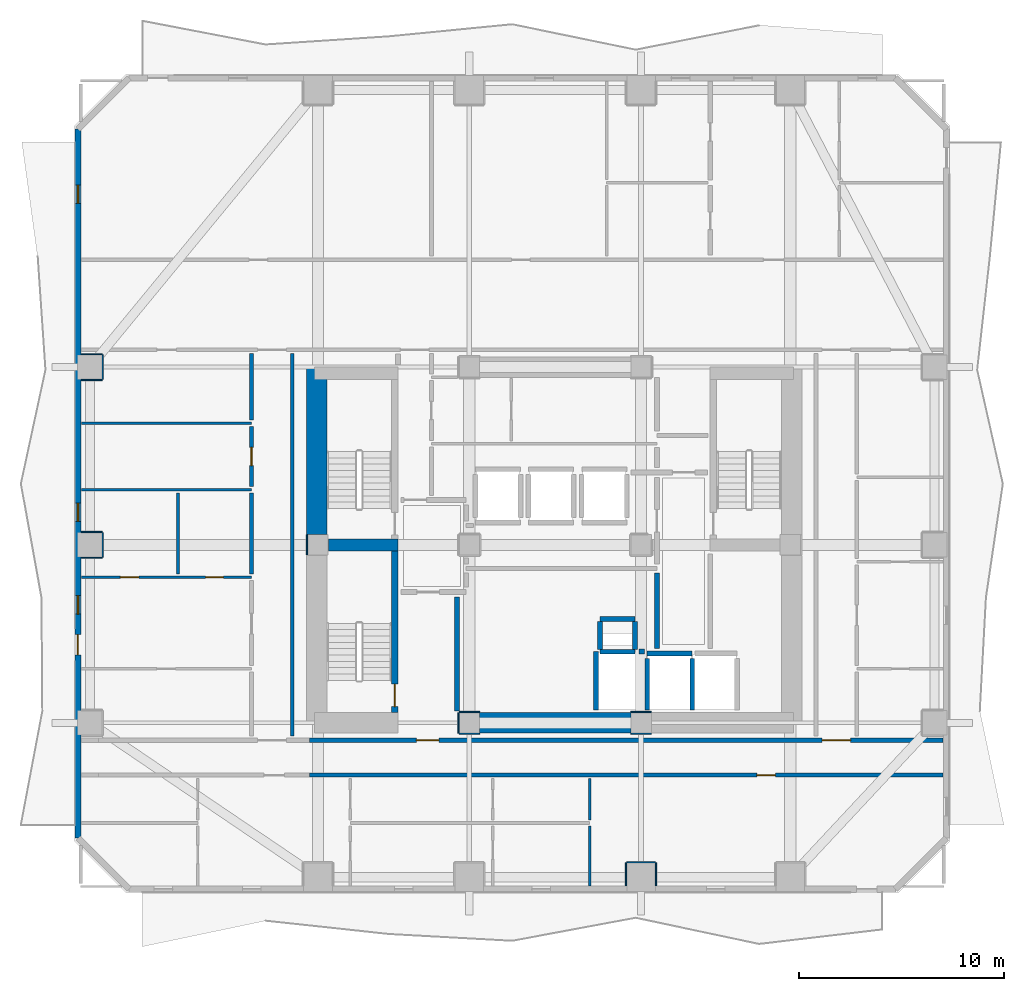
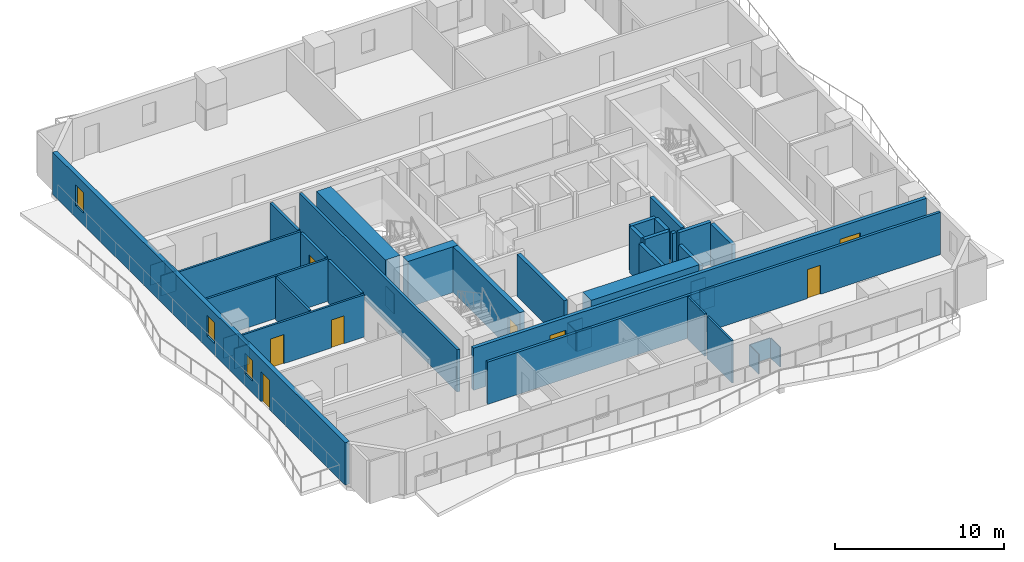
# One storey, part 3 of 10: 43 walls, 8 doors, 3 windows, 11 openings.
"""IFC4 building model written with IfcOpenShell, lengths in metres."""

from ifc_helpers import new_model, si_unit, direction, frame, frame_2d, origin, place, context, subcontext, project, spatial, rectangle, extrude, material, layer, layer_set, type_object, element, fill, save


model = new_model("IFC4")

# Units and contexts
model_context = context("Model", 3, precision=1e-05, world=origin(), true_north=direction((0.0, 1.0)))
body_context = subcontext(model_context, "Body", "Model", "MODEL_VIEW")
ifc_project = project(units=[si_unit("LENGTHUNIT", "METRE"), si_unit("AREAUNIT", "SQUARE_METRE"), si_unit("VOLUMEUNIT", "CUBIC_METRE"), si_unit("PLANEANGLEUNIT", "RADIAN"), si_unit("MASSUNIT", "GRAM", prefix="KILO")], contexts=[model_context])

# Site, building, storey
site_placement = place(None, origin())
site = spatial("IfcSite", under=ifc_project, at=site_placement, CompositionType="ELEMENT")
building_placement = place(site_placement, origin())
building = spatial("IfcBuilding", under=site, at=building_placement, Name="Solanera Arch Residences", CompositionType="ELEMENT")
storey_placement = place(building_placement, frame((0.0, 0.0, 99.43994140625)))
storey = spatial("IfcBuildingStorey", under=building, at=storey_placement, Name="L28", CompositionType="ELEMENT", Elevation=99.43994140625)

# Walls
ifc_material_1 = material(Name="Fire-Rated Gypsum Stud Partition", Category="gypsum")
ifc_layer_1 = layer(ifc_material_1, 0.06005859375)
ifc_layer_set_1 = layer_set([ifc_layer_1], Name="Fire-Rated Gypsum Stud Partition")
wall_type_1 = type_object("IfcWallType", Name="Column Acoustic Furring Wall 60", PredefinedType="PARTITIONING", material=ifc_layer_set_1)
for number, where, z_axis, x_axis, name in (
    (1, (20.300048828125, 21.468017578125, 0.0), (0.0, 0.0, 1.0), (1.0, 0.0, 0.0), "L28 Column Furring 1S"),
    (2, (20.300048828125, 22.531982421875, 0.0), (0.0, 0.0, 1.0), (1.0, 0.0, 0.0), "L28 Column Furring 1N"),
    (3, (20.26806640625, 21.5, 0.0), (0.0, 0.0, 1.0), (0.0, 1.0, 0.0), "L28 Column Furring 1W"),
    (4, (28.699951171875, 21.468017578125, 0.0), (0.0, 0.0, 1.0), (1.0, 0.0, 0.0), "L28 Column Furring 2S"),
    (5, (28.699951171875, 22.531982421875, 0.0), (0.0, 0.0, 1.0), (1.0, 0.0, 0.0), "L28 Column Furring 2N"),
):
    element("IfcWall", number, at=place(storey_placement, frame(where, z_axis=z_axis, x_axis=x_axis)), inside=storey, type_object=wall_type_1, Name=name, PredefinedType="PARTITIONING", context=body_context, shape_type="SweptSolid", body=[
        extrude(rectangle(XDim=1.0, YDim=0.06005859375, at=frame_2d((0.5, 0.0))), origin(), (0.0, 0.0, 1.0), 1.449951171875),
    ])
wall_1_placement = place(storey_placement, frame((12.867919921875, 30.2099609375, 0.0), z_axis=(0.0, 0.0, 1.0), x_axis=(0.0, 1.0, 0.0)))
element("IfcWall", 6, at=wall_1_placement, inside=storey, type_object=wall_type_1, Name="L28 Column Furring 5W", PredefinedType="PARTITIONING", context=body_context, shape_type="SweptSolid", body=[
    extrude(rectangle(XDim=0.97998046875, YDim=0.06005859375, at=frame_2d((0.489990234375, 0.0))), origin(), (0.0, 0.0, 1.0), 1.449951171875),
])
wall_2_placement = place(storey_placement, frame((28.5, 15.181884765625, 0.0), z_axis=(0.0, 0.0, 1.0), x_axis=(1.0, 0.0, 0.0)))
element("IfcWall", 7, at=wall_2_placement, inside=storey, type_object=wall_type_1, Name="L28 Column Furring 13N", PredefinedType="PARTITIONING", context=body_context, shape_type="SweptSolid", body=[
    extrude(rectangle(XDim=1.39990234375, YDim=0.06005859375, at=frame_2d((0.699951171875, 0.0))), origin(), (0.0, 0.0, 1.0), 1.449951171875),
])
for number, where, z_axis, x_axis, name in (
    (8, (28.468017578125, 14.030029296875, 0.0), (0.0, 0.0, 1.0), (0.0, 1.0, 0.0), "L28 Column Furring 13W"),
    (9, (29.931884765625, 14.030029296875, 0.0), (0.0, 0.0, 1.0), (0.0, 1.0, 0.0), "L28 Column Furring 13E"),
):
    element("IfcWall", number, at=place(storey_placement, frame(where, z_axis=z_axis, x_axis=x_axis)), inside=storey, type_object=wall_type_1, Name=name, PredefinedType="PARTITIONING", context=body_context, shape_type="SweptSolid", body=[
        extrude(rectangle(XDim=1.119873046875, YDim=0.06005859375, at=frame_2d((0.56005859375, 0.0))), origin(), (0.0, 0.0, 1.0), 1.449951171875),
    ])
for number, where, z_axis, x_axis, name in (
    (10, (1.830078125, 30.068115234375, 0.0), (0.0, 0.0, 1.0), (1.0, 0.0, 0.0), "L28 Column Furring 19S"),
    (11, (1.830078125, 31.33203125, 0.0), (0.0, 0.0, 1.0), (1.0, 0.0, 0.0), "L28 Column Furring 19N"),
):
    element("IfcWall", number, at=place(storey_placement, frame(where, z_axis=z_axis, x_axis=x_axis)), inside=storey, type_object=wall_type_1, Name=name, PredefinedType="PARTITIONING", context=body_context, shape_type="SweptSolid", body=[
        extrude(rectangle(XDim=1.02001953125, YDim=0.06005859375, at=frame_2d((0.510009765625, 0.0))), origin(), (0.0, 0.0, 1.0), 1.449951171875),
    ])
wall_3_placement = place(storey_placement, frame((2.882080078125, 30.10009765625, 0.0), z_axis=(0.0, 0.0, 1.0), x_axis=(0.0, 1.0, 0.0)))
element("IfcWall", 12, at=wall_3_placement, inside=storey, type_object=wall_type_1, Name="L28 Column Furring 19E", PredefinedType="PARTITIONING", context=body_context, shape_type="SweptSolid", body=[
    extrude(rectangle(XDim=1.199951171875, YDim=0.06005859375, at=frame_2d((0.60009765625, 0.0))), origin(), (0.0, 0.0, 1.0), 1.449951171875),
])
for number, where, z_axis, x_axis, name in (
    (13, (1.830078125, 38.76806640625, 0.0), (0.0, 0.0, 1.0), (1.0, 0.0, 0.0), "L28 Column Furring 21S"),
    (14, (1.830078125, 40.031982421875, 0.0), (0.0, 0.0, 1.0), (1.0, 0.0, 0.0), "L28 Column Furring 21N"),
):
    element("IfcWall", number, at=place(storey_placement, frame(where, z_axis=z_axis, x_axis=x_axis)), inside=storey, type_object=wall_type_1, Name=name, PredefinedType="PARTITIONING", context=body_context, shape_type="SweptSolid", body=[
        extrude(rectangle(XDim=1.02001953125, YDim=0.06005859375, at=frame_2d((0.510009765625, 0.0))), origin(), (0.0, 0.0, 1.0), 1.449951171875),
    ])
wall_4_placement = place(storey_placement, frame((2.882080078125, 38.800048828125, 0.0), z_axis=(0.0, 0.0, 1.0), x_axis=(0.0, 1.0, 0.0)))
element("IfcWall", 15, at=wall_4_placement, inside=storey, type_object=wall_type_1, Name="L28 Column Furring 21E", PredefinedType="PARTITIONING", context=body_context, shape_type="SweptSolid", body=[
    extrude(rectangle(XDim=1.199951171875, YDim=0.06005859375, at=frame_2d((0.60009765625, 0.0))), origin(), (0.0, 0.0, 1.0), 1.449951171875),
])
ifc_material_2 = material(Name="Concrete C55/67 (f'c = 60 MPa)", Category="concrete")
ifc_layer_2 = layer(ifc_material_2, 1.0)
ifc_layer_set_2 = layer_set([ifc_layer_2], Name="Concrete C55/67 (f'c = 60 MPa)")
wall_type_2 = type_object("IfcWallType", Name="Core Shear Wall CW-1000", PredefinedType="SHEAR", material=ifc_layer_set_2)
wall_5_placement = place(storey_placement, frame((13.340087890625, 31.205078125, 0.0), z_axis=(0.0, 0.0, 1.0), x_axis=(0.0, 1.0, 0.0)))
element("IfcWall", 16, at=wall_5_placement, inside=storey, type_object=wall_type_2, Name="L28 West Core North Shear Wall", PredefinedType="SHEAR", context=body_context, shape_type="SweptSolid", body=[
    extrude(rectangle(XDim=8.19482421875, YDim=1.0, at=frame_2d((4.097412109375, 0.0))), origin(), (0.0, 0.0, 1.0), 3.320068359375),
])
wall_6_placement = place(storey_placement, frame((21.304931640625, 22.0, 0.0), z_axis=(0.0, 0.0, 1.0), x_axis=(1.0, 0.0, 0.0)))
element("IfcWall", 17, at=wall_6_placement, inside=storey, type_object=wall_type_2, Name="L28 Central South Core Shear Wall", PredefinedType="SHEAR", context=body_context, shape_type="SweptSolid", body=[
    extrude(rectangle(XDim=7.39013671875, YDim=1.0, at=frame_2d((3.695068359375, 0.0))), origin(), (0.0, 0.0, 1.0), 3.320068359375),
])

# Wall, opening, door
ifc_material_3 = material(Name="Concrete C40/50 (f'c = 45 MPa)", Category="concrete")
ifc_layer_3 = layer(ifc_material_3, 0.320068359375)
ifc_layer_set_3 = layer_set([ifc_layer_3], Name="Concrete C40/50 (f'c = 45 MPa)")
wall_type_3 = type_object("IfcWallType", Name="Core Shear Wall CW-320", PredefinedType="SHEAR", material=ifc_layer_set_3)
wall_7_placement = place(storey_placement, frame((17.159912109375, 22.5, 0.0), z_axis=(0.0, 0.0, 1.0), x_axis=(0.0, 1.0, 0.0)))
wall_7 = element("IfcWall", 18, at=wall_7_placement, inside=storey, type_object=wall_type_3, Name="L28 Stair ST-T3 East Shear Wall", PredefinedType="SHEAR", context=body_context, shape_type="SweptSolid", body=[
    extrude(rectangle(XDim=7.89990234375, YDim=0.320068359375, at=frame_2d((3.949951171875, 0.0))), origin(), (0.0, 0.0, 1.0), 3.320068359375),
])
opening_1_placement = place(wall_7_placement, frame((0.2900390625, 0.0, 0.0)))
opening_1 = element("IfcOpeningElement", 19, at=opening_1_placement, cuts=wall_7, Name="Opening DF-01", PredefinedType="OPENING", context=body_context, shape_type="SweptSolid", body=[
    extrude(rectangle(XDim=1.10009765625, YDim=2.14990234375, at=frame_2d((0.550048828125, 1.074951171875))), frame((0.0, 0.169921875, 0.0), z_axis=(0.0, -1.0, 0.0), x_axis=(1.0, 0.0, 0.0)), (0.0, 0.0, 1.0), 0.3401),
])
ifc_material_4 = material(Name="Fire-Rated Architectural Hardwood", Category="wood")
door_type_1 = type_object("IfcDoorType", Name="Stair Exit Fire Door DF-01", OperationType="NOTDEFINED", PredefinedType="DOOR", material=ifc_material_4)
door_1_placement = place(opening_1_placement, origin())
door_1 = element("IfcDoor", 20, at=door_1_placement, inside=storey, type_object=door_type_1, Name="DR-L28-STAIR-ST-T3", OperationType="SINGLE_SWING_RIGHT", OverallHeight=2.14990234375, OverallWidth=1.10009765625, PredefinedType="DOOR", context=body_context, shape_type="SweptSolid", body=[
    extrude(rectangle(XDim=1.10009765625, YDim=2.14990234375, at=frame_2d((0.550048828125, 1.074951171875))), frame((0.0, 0.02490234375, 0.0), z_axis=(0.0, -1.0, 0.0), x_axis=(1.0, 0.0, 0.0)), (0.0, 0.0, 1.0), 0.050048828125),
])
fill(opening_1, door_1)

# Wall
ifc_material_5 = material(Name="Concrete C40/50 (f'c = 45 MPa)", Category="concrete")
ifc_layer_4 = layer(ifc_material_5, 0.60009765625)
ifc_layer_set_4 = layer_set([ifc_layer_4], Name="Concrete C40/50 (f'c = 45 MPa)")
wall_type_4 = type_object("IfcWallType", Name="Core Shear Wall CW-600", PredefinedType="SHEAR", material=ifc_layer_set_4)
wall_8_placement = place(storey_placement, frame((13.905029296875, 30.699951171875, 0.0), z_axis=(0.0, 0.0, 1.0), x_axis=(1.0, 0.0, 0.0)))
element("IfcWall", 21, at=wall_8_placement, inside=storey, type_object=wall_type_4, Name="L28 West Stair Divider Shear Wall", PredefinedType="SHEAR", context=body_context, shape_type="SweptSolid", body=[
    extrude(rectangle(XDim=3.4150390625, YDim=0.60009765625, at=frame_2d((1.70751953125, 0.0))), origin(), (0.0, 0.0, 1.0), 3.320068359375),
])

# Wall, opening, door
ifc_material_6 = material(Name="Autoclaved Aerated Concrete Blockwork", Category="masonry")
ifc_layer_5 = layer(ifc_material_6, 0.179931640625)
ifc_layer_set_5 = layer_set([ifc_layer_5], Name="Autoclaved Aerated Concrete Blockwork")
wall_type_5 = type_object("IfcWallType", Name="Corridor Fire Partition 180", PredefinedType="PARTITIONING", material=ifc_layer_set_5)
wall_9_placement = place(storey_placement, frame((12.992919921875, 19.449951171875, 0.0), z_axis=(0.0, 0.0, 1.0), x_axis=(1.0, 0.0, 0.0)))
wall_9 = element("IfcWall", 22, at=wall_9_placement, inside=storey, type_object=wall_type_5, Name="L28 Interior Partition H6 3", PredefinedType="PARTITIONING", context=body_context, shape_type="SweptSolid", body=[
    extrude(rectangle(XDim=30.97998046875, YDim=0.179931640625, at=frame_2d((15.489990234375, 0.0))), origin(), (0.0, 0.0, 1.0), 3.06005859375),
])
opening_2_placement = place(wall_9_placement, frame((21.8720703125, 0.0, 0.0)))
opening_2 = element("IfcOpeningElement", 23, at=opening_2_placement, cuts=wall_9, Name="Opening DI-02", PredefinedType="OPENING", context=body_context, shape_type="SweptSolid", body=[
    extrude(rectangle(XDim=0.89990234375, YDim=2.10009765625, at=frame_2d((0.449951171875, 1.050048828125))), frame((0.0, 0.10009765625, 0.0), z_axis=(0.0, -1.0, 0.0), x_axis=(1.0, 0.0, 0.0)), (0.0, 0.0, 1.0), 0.1999),
])
ifc_material_7 = material(Name="Fire-Rated Architectural Hardwood", Category="wood")
door_type_2 = type_object("IfcDoorType", Name="Suite Room Swing Door DI-02", OperationType="NOTDEFINED", PredefinedType="DOOR", material=ifc_material_7)
door_2_placement = place(opening_2_placement, origin())
door_2 = element("IfcDoor", 24, at=door_2_placement, inside=storey, type_object=door_type_2, Name="DR-L28-IN-023", OperationType="SINGLE_SWING_RIGHT", OverallHeight=2.10009765625, OverallWidth=0.89990234375, PredefinedType="DOOR", context=body_context, shape_type="SweptSolid", body=[
    extrude(rectangle(XDim=0.89990234375, YDim=2.10009765625, at=frame_2d((0.449951171875, 1.050048828125))), frame((0.0, 0.02490234375, 0.0), z_axis=(0.0, -1.0, 0.0), x_axis=(1.0, 0.0, 0.0)), (0.0, 0.0, 1.0), 0.050048828125),
])
fill(opening_2, door_2)

# Wall
wall_10_placement = place(storey_placement, frame((10.14990234375, 29.2880859375, 0.0), z_axis=(0.0, 0.0, 1.0), x_axis=(0.0, 1.0, 0.0)))
element("IfcWall", 25, at=wall_10_placement, inside=storey, type_object=wall_type_5, Name="L28 Interior Partition V8 3", PredefinedType="PARTITIONING", context=body_context, shape_type="SweptSolid", body=[
    extrude(rectangle(XDim=3.94384765625, YDim=0.179931640625, at=frame_2d((1.971923828125, 0.0))), origin(), (0.0, 0.0, 1.0), 3.06005859375),
])

# Wall, opening, door
wall_11_placement = place(storey_placement, frame((10.14990234375, 33.568115234375, 0.0), z_axis=(0.0, 0.0, 1.0), x_axis=(0.0, 1.0, 0.0)))
wall_11 = element("IfcWall", 26, at=wall_11_placement, inside=storey, type_object=wall_type_5, Name="L28 Interior Partition V8 4", PredefinedType="PARTITIONING", context=body_context, shape_type="SweptSolid", body=[
    extrude(rectangle(XDim=2.913818359375, YDim=0.179931640625, at=frame_2d((1.45703125, 0.0))), origin(), (0.0, 0.0, 1.0), 3.06005859375),
])
opening_3_placement = place(wall_11_placement, frame((1.007080078125, 0.0, 0.0)))
opening_3 = element("IfcOpeningElement", 27, at=opening_3_placement, cuts=wall_11, Name="Opening DI-02", PredefinedType="OPENING", context=body_context, shape_type="SweptSolid", body=[
    extrude(rectangle(XDim=0.89990234375, YDim=2.10009765625, at=frame_2d((0.449951171875, 1.050048828125))), frame((0.0, 0.10009765625, 0.0), z_axis=(0.0, -1.0, 0.0), x_axis=(1.0, 0.0, 0.0)), (0.0, 0.0, 1.0), 0.1999),
])
door_3_placement = place(opening_3_placement, origin())
door_3 = element("IfcDoor", 28, at=door_3_placement, inside=storey, type_object=door_type_2, Name="DR-L28-IN-035", OperationType="SINGLE_SWING_RIGHT", OverallHeight=2.10009765625, OverallWidth=0.89990234375, PredefinedType="DOOR", context=body_context, shape_type="SweptSolid", body=[
    extrude(rectangle(XDim=0.89990234375, YDim=2.10009765625, at=frame_2d((0.449951171875, 1.050048828125))), frame((0.0, 0.02490234375, 0.0), z_axis=(0.0, -1.0, 0.0), x_axis=(1.0, 0.0, 0.0)), (0.0, 0.0, 1.0), 0.050048828125),
])
fill(opening_3, door_3)

# Walls
wall_12_placement = place(storey_placement, frame((10.14990234375, 36.818115234375, 0.0), z_axis=(0.0, 0.0, 1.0), x_axis=(0.0, 1.0, 0.0)))
element("IfcWall", 29, at=wall_12_placement, inside=storey, type_object=wall_type_5, Name="L28 Interior Partition V8 5", PredefinedType="PARTITIONING", context=body_context, shape_type="SweptSolid", body=[
    extrude(rectangle(XDim=3.243896484375, YDim=0.179931640625, at=frame_2d((1.6220703125, 0.0))), origin(), (0.0, 0.0, 1.0), 3.06005859375),
])
wall_13_placement = place(storey_placement, frame((12.14990234375, 21.367919921875, 0.0), z_axis=(0.0, 0.0, 1.0), x_axis=(0.0, 1.0, 0.0)))
element("IfcWall", 30, at=wall_13_placement, inside=storey, type_object=wall_type_5, Name="L28 Interior Partition V9", PredefinedType="PARTITIONING", context=body_context, shape_type="SweptSolid", body=[
    extrude(rectangle(XDim=18.694091796875, YDim=0.179931640625, at=frame_2d((9.34716796875, 0.0))), origin(), (0.0, 0.0, 1.0), 3.06005859375),
])

# Wall, openings, door, windows
ifc_material_8 = material(Name="Precast Concrete C35/45", Category="concrete")
ifc_layer_6 = layer(ifc_material_8, 0.300048828125)
ifc_layer_set_6 = layer_set([ifc_layer_6], Name="Precast Concrete C35/45")
wall_type_6 = type_object("IfcWallType", Name="Exterior Wall Precast Masonry-Frame 300", PredefinedType="STANDARD", material=ifc_layer_set_6)
wall_14_placement = place(storey_placement, frame((1.6650390625, 16.364990234375, 0.0), z_axis=(0.0, 0.0, 1.0), x_axis=(0.0, 1.0, 0.0)))
wall_14 = element("IfcWall", 31, at=wall_14_placement, inside=storey, type_object=wall_type_6, Name="L28 Tower Exterior Precast Masonry-Frame Wall W", PredefinedType="STANDARD", context=body_context, shape_type="SweptSolid", body=[
    extrude(rectangle(XDim=34.669921875, YDim=0.300048828125, at=frame_2d((17.3349609375, 0.0))), origin(), (0.0, 0.0, 1.0), 3.06005859375),
])
opening_4_placement = place(wall_14_placement, frame((8.955078125, 0.0, 0.0)))
opening_4 = element("IfcOpeningElement", 32, at=opening_4_placement, cuts=wall_14, Name="Opening DB-01", PredefinedType="OPENING", context=body_context, shape_type="SweptSolid", body=[
    extrude(rectangle(XDim=1.0, YDim=2.14990234375, at=frame_2d((0.5, 1.074951171875))), frame((0.0, 0.159912109375, 0.0), z_axis=(0.0, -1.0, 0.0), x_axis=(1.0, 0.0, 0.0)), (0.0, 0.0, 1.0), 0.32),
])
opening_5_placement = place(wall_14_placement, frame((31.032958984375, 0.0, 0.85009765625)))
opening_5 = element("IfcOpeningElement", 33, at=opening_5_placement, cuts=wall_14, Name="Opening W-06", PredefinedType="OPENING", context=body_context, shape_type="SweptSolid", body=[
    extrude(rectangle(XDim=0.89990234375, YDim=1.5, at=frame_2d((0.449951171875, 0.75))), frame((0.0, 0.159912109375, 0.0), z_axis=(0.0, -1.0, 0.0), x_axis=(1.0, 0.0, 0.0)), (0.0, 0.0, 1.0), 0.32),
])
opening_6_placement = place(wall_14_placement, frame((10.955078125, 0.0, 0.85009765625)))
opening_6 = element("IfcOpeningElement", 34, at=opening_6_placement, cuts=wall_14, Name="Opening W-06", PredefinedType="OPENING", context=body_context, shape_type="SweptSolid", body=[
    extrude(rectangle(XDim=0.89990234375, YDim=1.5, at=frame_2d((0.449951171875, 0.75))), frame((0.0, 0.159912109375, 0.0), z_axis=(0.0, -1.0, 0.0), x_axis=(1.0, 0.0, 0.0)), (0.0, 0.0, 1.0), 0.32),
])
opening_7_placement = place(wall_14_placement, frame((15.485107421875, 0.0, 0.85009765625)))
opening_7 = element("IfcOpeningElement", 35, at=opening_7_placement, cuts=wall_14, Name="Opening W-06", PredefinedType="OPENING", context=body_context, shape_type="SweptSolid", body=[
    extrude(rectangle(XDim=0.89990234375, YDim=1.5, at=frame_2d((0.449951171875, 0.75))), frame((0.0, 0.159912109375, 0.0), z_axis=(0.0, -1.0, 0.0), x_axis=(1.0, 0.0, 0.0)), (0.0, 0.0, 1.0), 0.32),
])
ifc_material_9 = material(Name="Anodised Aluminium Alloy 6063-T6", Category="aluminium")
door_type_3 = type_object("IfcDoorType", Name="Glazed Balcony Swing Door DB-01", OperationType="NOTDEFINED", PredefinedType="DOOR", material=ifc_material_9)
door_4_placement = place(opening_4_placement, origin())
door_4 = element("IfcDoor", 36, at=door_4_placement, inside=storey, type_object=door_type_3, Name="DR-L28-OUT-04", OperationType="SINGLE_SWING_LEFT", OverallHeight=2.14990234375, OverallWidth=1.0, PredefinedType="DOOR", context=body_context, shape_type="SweptSolid", body=[
    extrude(rectangle(XDim=1.0, YDim=2.14990234375, at=frame_2d((0.5, 1.074951171875))), frame((0.0, 0.02490234375, 0.0), z_axis=(0.0, -1.0, 0.0), x_axis=(1.0, 0.0, 0.0)), (0.0, 0.0, 1.0), 0.050048828125),
])
fill(opening_4, door_4)
ifc_material_10 = material(Name="Double Glazed Low-E Laminated Glass", Category="glass")
window_type = type_object("IfcWindowType", Name="Punched Window W-06", PartitioningType="SINGLE_PANEL", PredefinedType="WINDOW", material=ifc_material_10)
window_1_placement = place(opening_5_placement, origin())
window_1 = element("IfcWindow", 37, at=window_1_placement, inside=storey, type_object=window_type, Name="L28 AMN-MTG1 Punched Window", OverallHeight=1.5, OverallWidth=0.89990234375, PartitioningType="SINGLE_PANEL", PredefinedType="WINDOW", context=body_context, shape_type="SweptSolid", body=[
    extrude(rectangle(XDim=0.89990234375, YDim=1.5, at=frame_2d((0.449951171875, 0.75))), frame((0.0, 0.030029296875, 0.0), z_axis=(0.0, -1.0, 0.0), x_axis=(1.0, 0.0, 0.0)), (0.0, 0.0, 1.0), 0.06005859375),
])
fill(opening_5, window_1)
window_2_placement = place(opening_6_placement, origin())
window_2 = element("IfcWindow", 38, at=window_2_placement, inside=storey, type_object=window_type, Name="L28 2803-LIV Punched Window", OverallHeight=1.5, OverallWidth=0.89990234375, PartitioningType="SINGLE_PANEL", PredefinedType="WINDOW", context=body_context, shape_type="SweptSolid", body=[
    extrude(rectangle(XDim=0.89990234375, YDim=1.5, at=frame_2d((0.449951171875, 0.75))), frame((0.0, 0.030029296875, 0.0), z_axis=(0.0, -1.0, 0.0), x_axis=(1.0, 0.0, 0.0)), (0.0, 0.0, 1.0), 0.06005859375),
])
fill(opening_6, window_2)
window_3_placement = place(opening_7_placement, origin())
window_3 = element("IfcWindow", 39, at=window_3_placement, inside=storey, type_object=window_type, Name="L28 2803-BR1 Punched Window", OverallHeight=1.5, OverallWidth=0.89990234375, PartitioningType="SINGLE_PANEL", PredefinedType="WINDOW", context=body_context, shape_type="SweptSolid", body=[
    extrude(rectangle(XDim=0.89990234375, YDim=1.5, at=frame_2d((0.449951171875, 0.75))), frame((0.0, 0.030029296875, 0.0), z_axis=(0.0, -1.0, 0.0), x_axis=(1.0, 0.0, 0.0)), (0.0, 0.0, 1.0), 0.06005859375),
])
fill(opening_7, window_3)

# Walls
ifc_material_11 = material(Name="Concrete C40/50 (f'c = 45 MPa)", Category="concrete")
ifc_layer_7 = layer(ifc_material_11, 0.239990234375)
ifc_layer_set_7 = layer_set([ifc_layer_7], Name="Concrete C40/50 (f'c = 45 MPa)")
wall_type_7 = type_object("IfcWallType", Name="Ramp Bearing Shear Wall RW-240", PredefinedType="SHEAR", material=ifc_layer_set_7)
for number, where, z_axis, x_axis, name in (
    (40, (27.199951171875, 25.47998046875, 0.0), (0.0, 0.0, 1.0), (1.0, 0.0, 0.0), "L28 Core MEP Riser South Shaft Wall"),
    (41, (27.199951171875, 27.080078125, 0.0), (0.0, 0.0, 1.0), (1.0, 0.0, 0.0), "L28 Core MEP Riser North Shaft Wall"),
):
    element("IfcWall", number, at=place(storey_placement, frame(where, z_axis=z_axis, x_axis=x_axis)), inside=storey, type_object=wall_type_7, Name=name, PredefinedType="SHEAR", context=body_context, shape_type="SweptSolid", body=[
        extrude(rectangle(XDim=1.699951171875, YDim=0.239990234375, at=frame_2d((0.85009765625, 0.0))), origin(), (0.0, 0.0, 1.0), 3.320068359375),
    ])
for number, where, z_axis, x_axis, name in (
    (42, (27.199951171875, 25.60009765625, 0.0), (0.0, 0.0, 1.0), (0.0, 1.0, 0.0), "L28 Core MEP Riser West Shaft Wall"),
    (43, (28.89990234375, 25.60009765625, 0.0), (0.0, 0.0, 1.0), (0.0, 1.0, 0.0), "L28 Core MEP Riser East Shaft Wall"),
):
    element("IfcWall", number, at=place(storey_placement, frame(where, z_axis=z_axis, x_axis=x_axis)), inside=storey, type_object=wall_type_7, Name=name, PredefinedType="SHEAR", context=body_context, shape_type="SweptSolid", body=[
        extrude(rectangle(XDim=1.35986328125, YDim=0.239990234375, at=frame_2d((0.679931640625, 0.0))), origin(), (0.0, 0.0, 1.0), 3.320068359375),
    ])
ifc_material_12 = material(Name="Autoclaved Aerated Concrete Blockwork", Category="masonry")
ifc_layer_8 = layer(ifc_material_12, 0.239990234375)
ifc_layer_set_8 = layer_set([ifc_layer_8], Name="Autoclaved Aerated Concrete Blockwork")
wall_type_8 = type_object("IfcWallType", Name="Shaft Wall Fire-Rated 240", PredefinedType="PARTITIONING", material=ifc_layer_set_8)
wall_15_placement = place(storey_placement, frame((29.5, 25.39990234375, 0.0), z_axis=(0.0, 0.0, 1.0), x_axis=(1.0, 0.0, 0.0)))
element("IfcWall", 44, at=wall_15_placement, inside=storey, type_object=wall_type_8, Name="L28 Lift FFL-1 Hoistway Wall N", PredefinedType="PARTITIONING", context=body_context, shape_type="SweptSolid", body=[
    extrude(rectangle(XDim=2.199951171875, YDim=0.239990234375, at=frame_2d((1.10009765625, 0.0))), origin(), (0.0, 0.0, 1.0), 3.06005859375),
])
wall_16_placement = place(storey_placement, frame((29.5, 22.632080078125, 0.0), z_axis=(0.0, 0.0, 1.0), x_axis=(0.0, 1.0, 0.0)))
element("IfcWall", 45, at=wall_16_placement, inside=storey, type_object=wall_type_8, Name="L28 Lift FFL-1 Hoistway Wall W", PredefinedType="PARTITIONING", context=body_context, shape_type="SweptSolid", body=[
    extrude(rectangle(XDim=2.52001953125, YDim=0.239990234375, at=frame_2d((1.260009765625, 0.0))), origin(), (0.0, 0.0, 1.0), 2.295166015625),
])
wall_17_placement = place(storey_placement, frame((31.699951171875, 22.6298828125, 0.0), z_axis=(0.0, 0.0, 1.0), x_axis=(0.0, 1.0, 0.0)))
element("IfcWall", 46, at=wall_17_placement, inside=storey, type_object=wall_type_8, Name="L28 Lift FFL-1 Hoistway Wall E", PredefinedType="PARTITIONING", context=body_context, shape_type="SweptSolid", body=[
    extrude(rectangle(XDim=2.522216796875, YDim=0.239990234375, at=frame_2d((1.26123046875, 0.0))), origin(), (0.0, 0.0, 1.0), 3.06005859375),
])
wall_18_placement = place(storey_placement, frame((29.10302734375, 25.5, 0.0), z_axis=(0.0, 0.0, 1.0), x_axis=(1.0, 0.0, 0.0)))
element("IfcWall", 47, at=wall_18_placement, inside=storey, type_object=wall_type_8, Name="L28 Lift SVL-1 Hoistway Wall N", PredefinedType="PARTITIONING", context=body_context, shape_type="SweptSolid", body=[
    extrude(rectangle(XDim=0.26904296875, YDim=0.239990234375, at=frame_2d((0.134521484375, 0.0))), origin(), (0.0, 0.0, 1.0), 3.06005859375),
])
wall_19_placement = place(storey_placement, frame((27.0, 22.6298828125, 0.0), z_axis=(0.0, 0.0, 1.0), x_axis=(0.0, 1.0, 0.0)))
element("IfcWall", 48, at=wall_19_placement, inside=storey, type_object=wall_type_8, Name="L28 Lift SVL-1 Hoistway Wall W", PredefinedType="PARTITIONING", context=body_context, shape_type="SweptSolid", body=[
    extrude(rectangle(XDim=2.8681640625, YDim=0.239990234375, at=frame_2d((1.43408203125, 0.0))), origin(), (0.0, 0.0, 1.0), 3.06005859375),
])

# Wall, openings, doors
wall_20_placement = place(storey_placement, frame((12.992919921875, 21.14990234375, 0.0), z_axis=(0.0, 0.0, 1.0), x_axis=(1.0, 0.0, 0.0)))
wall_20 = element("IfcWall", 49, at=wall_20_placement, inside=storey, type_object=wall_type_8, Name="L28 Interior Partition H1 3", PredefinedType="PARTITIONING", context=body_context, shape_type="SweptSolid", body=[
    extrude(rectangle(XDim=30.97998046875, YDim=0.239990234375, at=frame_2d((15.489990234375, 0.0))), origin(), (0.0, 0.0, 1.0), 3.06005859375),
])
opening_8_placement = place(wall_20_placement, frame((5.217041015625, 0.0, 0.0)))
opening_8 = element("IfcOpeningElement", 50, at=opening_8_placement, cuts=wall_20, Name="Opening DF-02", PredefinedType="OPENING", context=body_context, shape_type="SweptSolid", body=[
    extrude(rectangle(XDim=1.10009765625, YDim=2.14990234375, at=frame_2d((0.550048828125, 1.074951171875))), frame((0.0, 0.1298828125, 0.0), z_axis=(0.0, -1.0, 0.0), x_axis=(1.0, 0.0, 0.0)), (0.0, 0.0, 1.0), 0.26),
])
opening_9_placement = place(wall_20_placement, frame((25.056884765625, 0.0, 0.0)))
opening_9 = element("IfcOpeningElement", 51, at=opening_9_placement, cuts=wall_20, Name="Opening DF-03", PredefinedType="OPENING", context=body_context, shape_type="SweptSolid", body=[
    extrude(rectangle(XDim=1.39990234375, YDim=2.14990234375, at=frame_2d((0.699951171875, 1.074951171875))), frame((0.0, 0.1298828125, 0.0), z_axis=(0.0, -1.0, 0.0), x_axis=(1.0, 0.0, 0.0)), (0.0, 0.0, 1.0), 0.26),
])
ifc_material_13 = material(Name="Fire-Rated Architectural Hardwood", Category="wood")
door_type_4 = type_object("IfcDoorType", Name="Corridor Smoke Door DF-03", OperationType="NOTDEFINED", PredefinedType="DOOR", material=ifc_material_13)
door_5_placement = place(opening_9_placement, origin())
door_5 = element("IfcDoor", 52, at=door_5_placement, inside=storey, type_object=door_type_4, Name="DR-L28-IN-011", OperationType="SINGLE_SWING_RIGHT", OverallHeight=2.14990234375, OverallWidth=1.39990234375, PredefinedType="DOOR", context=body_context, shape_type="SweptSolid", body=[
    extrude(rectangle(XDim=1.39990234375, YDim=2.14990234375, at=frame_2d((0.699951171875, 1.074951171875))), frame((0.0, 0.02490234375, 0.0), z_axis=(0.0, -1.0, 0.0), x_axis=(1.0, 0.0, 0.0)), (0.0, 0.0, 1.0), 0.050048828125),
])
fill(opening_9, door_5)
ifc_material_14 = material(Name="Fire-Rated Architectural Hardwood", Category="wood")
door_type_5 = type_object("IfcDoorType", Name="Firefighting Lobby Fire Door DF-02", OperationType="NOTDEFINED", PredefinedType="DOOR", material=ifc_material_14)
door_6_placement = place(opening_8_placement, origin())
door_6 = element("IfcDoor", 53, at=door_6_placement, inside=storey, type_object=door_type_5, Name="DR-L28-IN-008", OperationType="SINGLE_SWING_LEFT", OverallHeight=2.14990234375, OverallWidth=1.10009765625, PredefinedType="DOOR", context=body_context, shape_type="SweptSolid", body=[
    extrude(rectangle(XDim=1.10009765625, YDim=2.14990234375, at=frame_2d((0.550048828125, 1.074951171875))), frame((0.0, 0.02490234375, 0.0), z_axis=(0.0, -1.0, 0.0), x_axis=(1.0, 0.0, 0.0)), (0.0, 0.0, 1.0), 0.050048828125),
])
fill(opening_8, door_6)

# Walls
wall_21_placement = place(storey_placement, frame((20.199951171875, 22.5859375, 0.0), z_axis=(0.0, 0.0, 1.0), x_axis=(0.0, 1.0, 0.0)))
element("IfcWall", 54, at=wall_21_placement, inside=storey, type_object=wall_type_8, Name="L28 Interior Partition V2", PredefinedType="PARTITIONING", context=body_context, shape_type="SweptSolid", body=[
    extrude(rectangle(XDim=5.566162109375, YDim=0.239990234375, at=frame_2d((2.783203125, 0.0))), origin(), (0.0, 0.0, 1.0), 3.06005859375),
])
wall_22_placement = place(storey_placement, frame((29.97509765625, 25.64794921875, 0.0), z_axis=(0.0, 0.0, 1.0), x_axis=(0.0, 1.0, 0.0)))
element("IfcWall", 55, at=wall_22_placement, inside=storey, type_object=wall_type_8, Name="L28 Interior Partition V4 1", PredefinedType="PARTITIONING", context=body_context, shape_type="SweptSolid", body=[
    extrude(rectangle(XDim=3.68408203125, YDim=0.239990234375, at=frame_2d((1.842041015625, 0.0))), origin(), (0.0, 0.0, 1.0), 3.06005859375),
])
ifc_material_15 = material(Name="Fire-Rated Gypsum Stud Partition", Category="gypsum")
ifc_layer_9 = layer(ifc_material_15, 0.1201171875)
ifc_layer_set_9 = layer_set([ifc_layer_9], Name="Fire-Rated Gypsum Stud Partition")
wall_type_9 = type_object("IfcWallType", Name="Unit Drywall Partition 120", PredefinedType="PARTITIONING", material=ifc_layer_set_9)
wall_23_placement = place(storey_placement, frame((26.678955078125, 14.027099609375, 0.0), z_axis=(0.0, 0.0, 1.0), x_axis=(0.0, 1.0, 0.0)))
element("IfcWall", 56, at=wall_23_placement, inside=storey, type_object=wall_type_9, Name="L28 Interior Partition V22 1", PredefinedType="PARTITIONING", context=body_context, shape_type="SweptSolid", body=[
    extrude(rectangle(XDim=2.94189453125, YDim=0.1201171875, at=frame_2d((1.470947265625, 0.0))), origin(), (0.0, 0.0, 1.0), 3.06005859375),
])
wall_24_placement = place(storey_placement, frame((26.678955078125, 17.2451171875, 0.0), z_axis=(0.0, 0.0, 1.0), x_axis=(0.0, 1.0, 0.0)))
element("IfcWall", 57, at=wall_24_placement, inside=storey, type_object=wall_type_9, Name="L28 Interior Partition V22 2", PredefinedType="PARTITIONING", context=body_context, shape_type="SweptSolid", body=[
    extrude(rectangle(XDim=2.046875, YDim=0.1201171875, at=frame_2d((1.0234375, 0.0))), origin(), (0.0, 0.0, 1.0), 3.06005859375),
])

# Wall, openings, doors
ifc_material_16 = material(Name="Autoclaved Aerated Concrete Blockwork", Category="masonry")
ifc_layer_10 = layer(ifc_material_16, 0.139892578125)
ifc_layer_set_10 = layer_set([ifc_layer_10], Name="Autoclaved Aerated Concrete Blockwork")
wall_type_10 = type_object("IfcWallType", Name="Wet-Room Partition 140", PredefinedType="PARTITIONING", material=ifc_layer_set_10)
wall_25_placement = place(storey_placement, frame((1.826904296875, 29.1201171875, 0.0), z_axis=(0.0, 0.0, 1.0), x_axis=(1.0, 0.0, 0.0)))
wall_25 = element("IfcWall", 58, at=wall_25_placement, inside=storey, type_object=wall_type_10, Name="L28 Interior Partition H16", PredefinedType="PARTITIONING", context=body_context, shape_type="SweptSolid", body=[
    extrude(rectangle(XDim=8.322998046875, YDim=0.139892578125, at=frame_2d((4.16162109375, 0.0))), origin(), (0.0, 0.0, 1.0), 3.06005859375),
])
opening_10_placement = place(wall_25_placement, frame((6.0849609375, 0.0, 0.0)))
opening_10 = element("IfcOpeningElement", 59, at=opening_10_placement, cuts=wall_25, Name="Opening DI-05", PredefinedType="OPENING", context=body_context, shape_type="SweptSolid", body=[
    extrude(rectangle(XDim=0.860107421875, YDim=2.02001953125, at=frame_2d((0.43017578125, 1.010009765625))), frame((0.0, 0.079833984375, 0.0), z_axis=(0.0, -1.0, 0.0), x_axis=(1.0, 0.0, 0.0)), (0.0, 0.0, 1.0), 0.1599),
])
opening_11_placement = place(wall_25_placement, frame((1.9150390625, 0.0, 0.0)))
opening_11 = element("IfcOpeningElement", 60, at=opening_11_placement, cuts=wall_25, Name="Opening DI-03", PredefinedType="OPENING", context=body_context, shape_type="SweptSolid", body=[
    extrude(rectangle(XDim=0.89990234375, YDim=2.10009765625, at=frame_2d((0.449951171875, 1.050048828125))), frame((0.0, 0.079833984375, 0.0), z_axis=(0.0, -1.0, 0.0), x_axis=(1.0, 0.0, 0.0)), (0.0, 0.0, 1.0), 0.1599),
])
ifc_material_17 = material(Name="Fire-Rated Architectural Hardwood", Category="wood")
door_type_6 = type_object("IfcDoorType", Name="Bathroom Swing Door DI-05", OperationType="NOTDEFINED", PredefinedType="DOOR", material=ifc_material_17)
door_7_placement = place(opening_10_placement, origin())
door_7 = element("IfcDoor", 61, at=door_7_placement, inside=storey, type_object=door_type_6, Name="DR-L28-IN-033", OperationType="SINGLE_SWING_RIGHT", OverallHeight=2.02001953125, OverallWidth=0.860107421875, PredefinedType="DOOR", context=body_context, shape_type="SweptSolid", body=[
    extrude(rectangle(XDim=0.860107421875, YDim=2.02001953125, at=frame_2d((0.43017578125, 1.010009765625))), frame((0.0, 0.02490234375, 0.0), z_axis=(0.0, -1.0, 0.0), x_axis=(1.0, 0.0, 0.0)), (0.0, 0.0, 1.0), 0.050048828125),
])
fill(opening_10, door_7)
ifc_material_18 = material(Name="Fire-Rated Architectural Hardwood", Category="wood")
door_type_7 = type_object("IfcDoorType", Name="Bedroom Swing Door DI-03", OperationType="NOTDEFINED", PredefinedType="DOOR", material=ifc_material_18)
door_8_placement = place(opening_11_placement, origin())
door_8 = element("IfcDoor", 62, at=door_8_placement, inside=storey, type_object=door_type_7, Name="DR-L28-IN-034", OperationType="SINGLE_SWING_LEFT", OverallHeight=2.10009765625, OverallWidth=0.89990234375, PredefinedType="DOOR", context=body_context, shape_type="SweptSolid", body=[
    extrude(rectangle(XDim=0.89990234375, YDim=2.10009765625, at=frame_2d((0.449951171875, 1.050048828125))), frame((0.0, 0.02490234375, 0.0), z_axis=(0.0, -1.0, 0.0), x_axis=(1.0, 0.0, 0.0)), (0.0, 0.0, 1.0), 0.050048828125),
])
fill(opening_11, door_8)

# Walls
for number, where, z_axis, x_axis, name in (
    (63, (1.826904296875, 33.39990234375, 0.0), (0.0, 0.0, 1.0), (1.0, 0.0, 0.0), "L28 Interior Partition H17"),
    (64, (1.826904296875, 36.64990234375, 0.0), (0.0, 0.0, 1.0), (1.0, 0.0, 0.0), "L28 Interior Partition H18"),
):
    element("IfcWall", number, at=place(storey_placement, frame(where, z_axis=z_axis, x_axis=x_axis)), inside=storey, type_object=wall_type_10, Name=name, PredefinedType="PARTITIONING", context=body_context, shape_type="SweptSolid", body=[
        extrude(rectangle(XDim=8.322998046875, YDim=0.139892578125, at=frame_2d((4.16162109375, 0.0))), origin(), (0.0, 0.0, 1.0), 3.06005859375),
    ])
wall_26_placement = place(storey_placement, frame((6.55908203125, 29.26806640625, 0.0), z_axis=(0.0, 0.0, 1.0), x_axis=(0.0, 1.0, 0.0)))
element("IfcWall", 65, at=wall_26_placement, inside=storey, type_object=wall_type_10, Name="L28 Interior Partition V16", PredefinedType="PARTITIONING", context=body_context, shape_type="SweptSolid", body=[
    extrude(rectangle(XDim=3.98388671875, YDim=0.139892578125, at=frame_2d((1.991943359375, 0.0))), origin(), (0.0, 0.0, 1.0), 3.06005859375),
])

save(model, "model.ifc")
